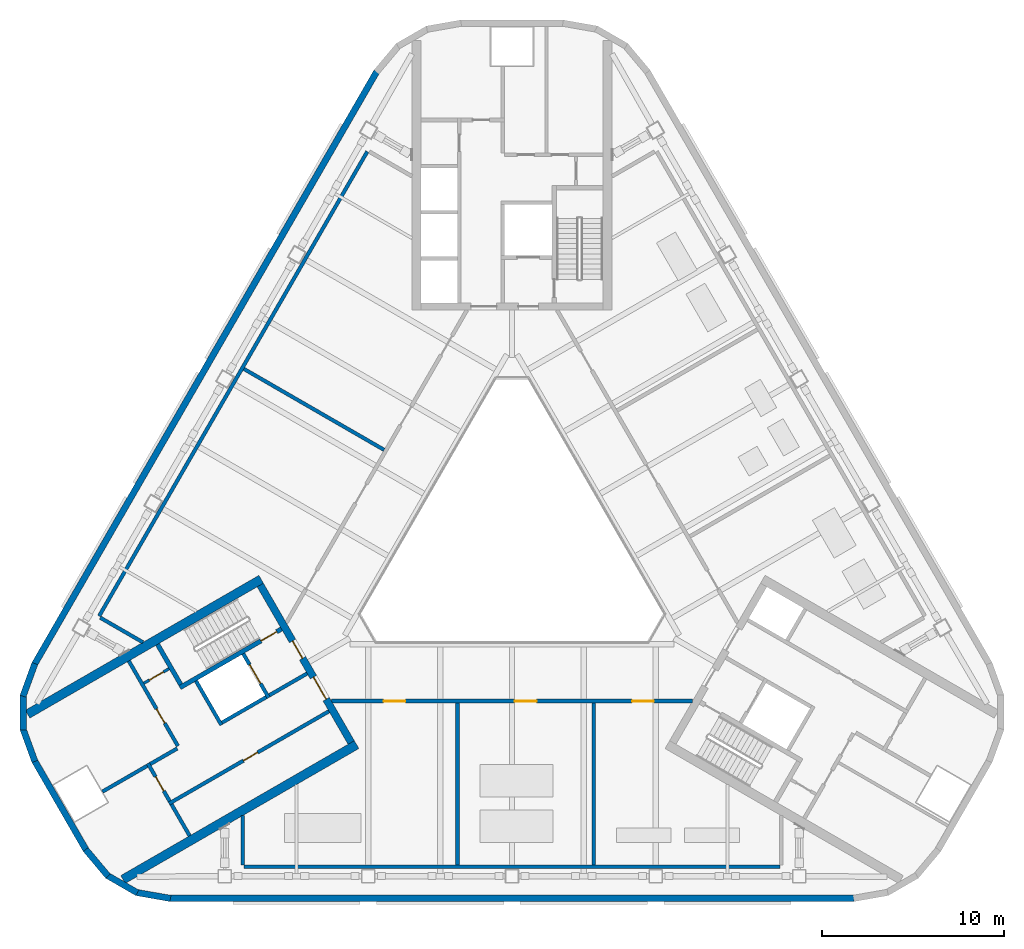
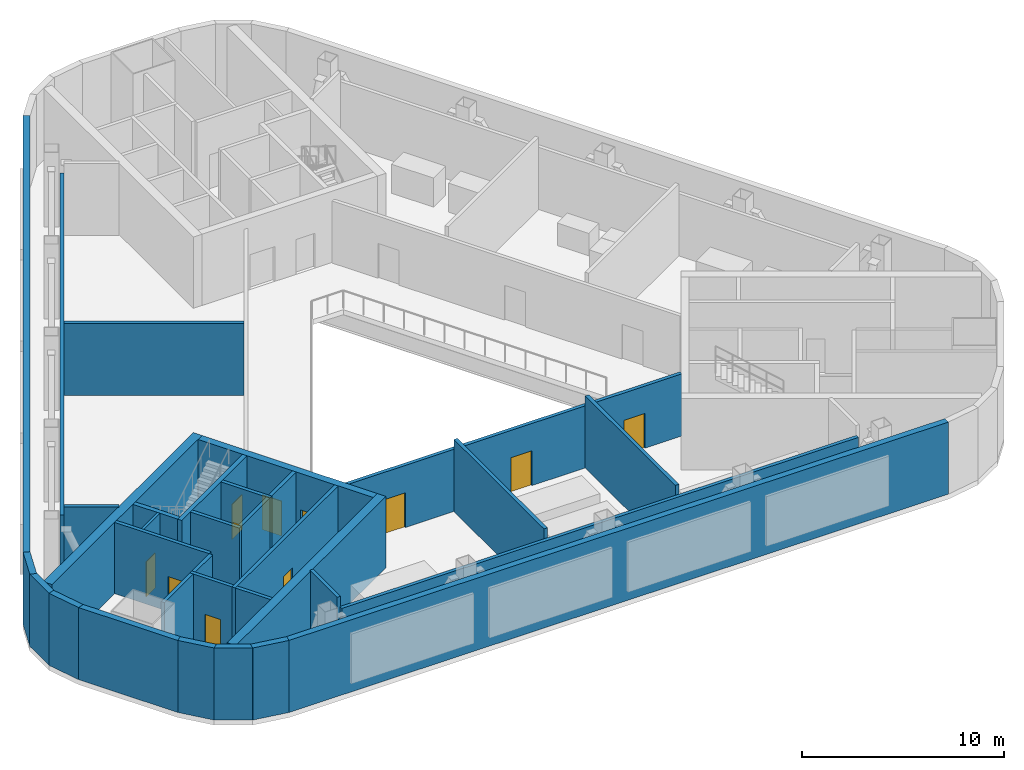
# One storey, part 6 of 14: 33 walls, 11 doors, 11 openings.
"""IFC4 building model written with IfcOpenShell, lengths in metres."""

from ifc_helpers import new_model, si_unit, direction, frame, frame_2d, origin, place, context, subcontext, project, spatial, rectangle, extrude, material, layer, layer_set, type_object, element, fill, save


model = new_model("IFC4")

# Units and contexts
model_context = context("Model", 3, precision=1e-05, world=origin(), true_north=direction((0.0, 1.0)))
body_context = subcontext(model_context, "Body", "Model", "MODEL_VIEW")
ifc_project = project(units=[si_unit("LENGTHUNIT", "METRE"), si_unit("AREAUNIT", "SQUARE_METRE"), si_unit("VOLUMEUNIT", "CUBIC_METRE"), si_unit("PLANEANGLEUNIT", "RADIAN"), si_unit("MASSUNIT", "GRAM", prefix="KILO")], contexts=[model_context])

# Site, building, storey
site_placement = place(None, origin())
site = spatial("IfcSite", under=ifc_project, at=site_placement, CompositionType="ELEMENT")
building_placement = place(site_placement, origin())
building = spatial("IfcBuilding", under=site, at=building_placement, Name="Apuvela Tower Hotel", CompositionType="ELEMENT")
storey_placement = place(building_placement, frame((0.0, 0.0, 242.199951171875)))
storey = spatial("IfcBuildingStorey", under=building, at=storey_placement, Name="L59 Plant", CompositionType="ELEMENT", Elevation=242.199951171875)

# Wall, openings, doors
ifc_material_1 = material(Name="Concrete C50/60", Category="concrete")
ifc_layer_1 = layer(ifc_material_1, 0.39990234375)
ifc_layer_set_1 = layer_set([ifc_layer_1], Name="COR-WALL-CORE-400")
wall_type_1 = type_object("IfcWallType", Name="COR-WALL-CORE-400", PredefinedType="SHEAR", material=ifc_layer_set_1)
wall_1_placement = place(storey_placement, frame((-13.844970703125, -2.219970703125, 0.0), z_axis=(0.0, 0.0, 1.0), x_axis=(0.500004234368, -0.866022959057, 0.0)))
wall_1 = element("IfcWall", 1, at=wall_1_placement, inside=storey, type_object=wall_type_1, Name="Core wall SW", PredefinedType="SHEAR", context=body_context, shape_type="SweptSolid", body=[
    extrude(rectangle(XDim=10.0, YDim=0.39990234375, at=frame_2d((5.0, 0.0))), origin(), (0.0, 0.0, 1.0), 4.300048828125),
])
opening_1_placement = place(wall_1_placement, frame((3.550048828125, 0.0, 0.0)))
opening_1 = element("IfcOpeningElement", 2, at=opening_1_placement, cuts=wall_1, Name="Opening W-FD", PredefinedType="OPENING", context=body_context, shape_type="SweptSolid", body=[
    extrude(rectangle(XDim=1.10009765625, YDim=2.10009765625, at=frame_2d((0.550048828125, 1.050048828125))), frame((0.0, 0.2099609375, 0.0), z_axis=(0.0, -1.0, 0.0), x_axis=(1.0, 0.0, 0.0)), (0.0, 0.0, 1.0), 0.419921875),
])
opening_2_placement = place(wall_1_placement, frame((5.85009765625, 0.0, 0.0)))
opening_2 = element("IfcOpeningElement", 3, at=opening_2_placement, cuts=wall_1, Name="Opening W-GD", PredefinedType="OPENING", context=body_context, shape_type="SweptSolid", body=[
    extrude(rectangle(XDim=1.39990234375, YDim=2.10009765625, at=frame_2d((0.699951171875, 1.050048828125))), frame((0.0, 0.2099609375, 0.0), z_axis=(0.0, -1.0, 0.0), x_axis=(1.0, 0.0, 0.0)), (0.0, 0.0, 1.0), 0.419921875),
])
ifc_material_2 = material(Name="Steel fire door, powder coated", Category="steel")
door_type_1 = type_object("IfcDoorType", Name="COR-FD-1100", OperationType="NOTDEFINED", PredefinedType="DOOR", material=ifc_material_2)
door_1_placement = place(opening_1_placement, frame((1.10009765625, 0.0, 0.0), z_axis=(0.0, 0.0, 1.0), x_axis=(-1.0, 0.0, 0.0)))
door_1 = element("IfcDoor", 4, at=door_1_placement, inside=storey, type_object=door_type_1, Name="Firefighting lobby door W-FD", OperationType="SINGLE_SWING_LEFT", OverallHeight=2.10009765625, OverallWidth=1.10009765625, PredefinedType="DOOR", context=body_context, shape_type="SweptSolid", body=[
    extrude(rectangle(XDim=1.10009765625, YDim=2.10009765625, at=frame_2d((0.550048828125, 1.050048828125))), frame((0.0, 0.02490234375, 0.0), z_axis=(0.0, -1.0, 0.0), x_axis=(1.0, 0.0, 0.0)), (0.0, 0.0, 1.0), 0.050048828125),
])
fill(opening_1, door_1)
ifc_material_3 = material(Name="Glazed steel fire door", Category="steel")
door_type_2 = type_object("IfcDoorType", Name="COR-GD-1400", OperationType="DOUBLE_DOOR_SINGLE_SWING", PredefinedType="DOOR", material=ifc_material_3)
door_2_placement = place(opening_2_placement, frame((1.39990234375, 0.0, 0.0), z_axis=(0.0, 0.0, 1.0), x_axis=(-1.0, 0.0, 0.0)))
door_2 = element("IfcDoor", 5, at=door_2_placement, inside=storey, type_object=door_type_2, Name="Lift lobby door W-GD", OperationType="DOUBLE_DOOR_SINGLE_SWING", OverallHeight=2.10009765625, OverallWidth=1.39990234375, PredefinedType="DOOR", context=body_context, shape_type="SweptSolid", body=[
    extrude(rectangle(XDim=1.39990234375, YDim=2.10009765625, at=frame_2d((0.699951171875, 1.050048828125))), frame((0.0, 0.02490234375, 0.0), z_axis=(0.0, -1.0, 0.0), x_axis=(1.0, 0.0, 0.0)), (0.0, 0.0, 1.0), 0.050048828125),
])
fill(opening_2, door_2)

# Walls
ifc_layer_2 = layer(ifc_material_1, 0.5)
ifc_layer_set_2 = layer_set([ifc_layer_2], Name="COR-WALL-CORE-500")
wall_type_2 = type_object("IfcWallType", Name="COR-WALL-CORE-500", PredefinedType="SHEAR", material=ifc_layer_set_2)
for number, where, z_axis, x_axis, name in (
    (6, (-13.796630859375, -1.9033203125, 0.0), (0.0, 0.0, 1.0), (-0.866025009528, -0.500000682871, 0.0), "Core wall SW"),
    (7, (-8.546630859375, -10.99658203125, 0.0), (0.0, 0.0, 1.0), (-0.866025009528, -0.500000682871, 0.0), "Core wall SW"),
):
    element("IfcWall", number, at=place(storey_placement, frame(where, z_axis=z_axis, x_axis=x_axis)), inside=storey, type_object=wall_type_2, Name=name, PredefinedType="SHEAR", context=body_context, shape_type="SweptSolid", body=[
        extrude(rectangle(XDim=14.8369140625, YDim=0.5, at=frame_2d((7.41845703125, 0.0))), origin(), (0.0, 0.0, 1.0), 4.300048828125),
    ])

# Wall, opening, door
ifc_material_4 = material(Name="Blockwork 150 mm plastered", Category="masonry")
ifc_layer_3 = layer(ifc_material_4, 0.14990234375)
ifc_layer_set_3 = layer_set([ifc_layer_3], Name="COR-WALL-PART-150")
wall_type_3 = type_object("IfcWallType", Name="COR-WALL-PART-150", PredefinedType="PARTITIONING", material=ifc_layer_set_3)
wall_2_placement = place(storey_placement, frame((-18.866455078125, -6.822265625, 0.0), z_axis=(0.0, 0.0, 1.0), x_axis=(-0.866028054938, -0.499995408039, 0.0)))
wall_2 = element("IfcWall", 8, at=wall_2_placement, inside=storey, type_object=wall_type_3, Name="Partition SW", PredefinedType="PARTITIONING", context=body_context, shape_type="SweptSolid", body=[
    extrude(rectangle(XDim=1.60009765625, YDim=0.14990234375, at=frame_2d((0.800048828125, 0.0))), origin(), (0.0, 0.0, 1.0), 4.300048828125),
])
opening_3_placement = place(wall_2_placement, frame((0.35009765625, 0.0, 0.0)))
opening_3 = element("IfcOpeningElement", 9, at=opening_3_placement, cuts=wall_2, Name="Opening W-RD", PredefinedType="OPENING", context=body_context, shape_type="SweptSolid", body=[
    extrude(rectangle(XDim=0.89990234375, YDim=2.10009765625, at=frame_2d((0.449951171875, 1.050048828125))), frame((0.0, 0.0849609375, 0.0), z_axis=(0.0, -1.0, 0.0), x_axis=(1.0, 0.0, 0.0)), (0.0, 0.0, 1.0), 0.169921875),
])
ifc_material_5 = material(Name="Steel access door, powder coated", Category="steel")
door_type_3 = type_object("IfcDoorType", Name="COR-RD-900", OperationType="NOTDEFINED", PredefinedType="DOOR", material=ifc_material_5)
door_3_placement = place(opening_3_placement, frame((0.89990234375, 0.0, 0.0), z_axis=(0.0, 0.0, 1.0), x_axis=(-1.0, 0.0, 0.0)))
door_3 = element("IfcDoor", 10, at=door_3_placement, inside=storey, type_object=door_type_3, Name="Riser door W-RD", OperationType="SINGLE_SWING_RIGHT", OverallHeight=2.10009765625, OverallWidth=0.89990234375, PredefinedType="DOOR", context=body_context, shape_type="SweptSolid", body=[
    extrude(rectangle(XDim=0.89990234375, YDim=2.10009765625, at=frame_2d((0.449951171875, 1.050048828125))), frame((0.0, 0.02490234375, 0.0), z_axis=(0.0, -1.0, 0.0), x_axis=(1.0, 0.0, 0.0)), (0.0, 0.0, 1.0), 0.050048828125),
])
fill(opening_3, door_3)

ifc_material_6 = material(Name="Blockwork 200 mm plastered", Category="masonry")
ifc_layer_4 = layer(ifc_material_6, 0.199951171875)
ifc_layer_set_4 = layer_set([ifc_layer_4], Name="COR-WALL-PART-200")
wall_type_4 = type_object("IfcWallType", Name="COR-WALL-PART-200", PredefinedType="PARTITIONING", material=ifc_layer_set_4)
wall_3_placement = place(storey_placement, frame((-21.076171875, -6.39501953125, 0.0), z_axis=(0.0, 0.0, 1.0), x_axis=(0.50001468107, -0.866016927499, 0.0)))
wall_3 = element("IfcWall", 11, at=wall_3_placement, inside=storey, type_object=wall_type_4, Name="Partition SW", PredefinedType="PARTITIONING", context=body_context, shape_type="SweptSolid", body=[
    extrude(rectangle(XDim=5.399658203125, YDim=0.199951171875, at=frame_2d((2.69970703125, 0.0))), origin(), (0.0, 0.0, 1.0), 4.300048828125),
])
opening_4_placement = place(wall_3_placement, frame((3.050048828125, 0.0, 0.0)))
opening_4 = element("IfcOpeningElement", 12, at=opening_4_placement, cuts=wall_3, Name="Opening W-RS1", PredefinedType="OPENING", context=body_context, shape_type="SweptSolid", body=[
    extrude(rectangle(XDim=0.89990234375, YDim=2.10009765625, at=frame_2d((0.449951171875, 1.050048828125))), frame((0.0, 0.10986328125, 0.0), z_axis=(0.0, -1.0, 0.0), x_axis=(1.0, 0.0, 0.0)), (0.0, 0.0, 1.0), 0.219970703125),
])
door_type_4 = type_object("IfcDoorType", Name="COR-DR-900", OperationType="NOTDEFINED", PredefinedType="DOOR", material=ifc_material_2)
door_4_placement = place(opening_4_placement, frame((0.89990234375, 0.0, 0.0), z_axis=(0.0, 0.0, 1.0), x_axis=(-1.0, 0.0, 0.0)))
door_4 = element("IfcDoor", 13, at=door_4_placement, inside=storey, type_object=door_type_4, Name="Store door W-RS1", OperationType="SINGLE_SWING_LEFT", OverallHeight=2.10009765625, OverallWidth=0.89990234375, PredefinedType="DOOR", context=body_context, shape_type="SweptSolid", body=[
    extrude(rectangle(XDim=0.89990234375, YDim=2.10009765625, at=frame_2d((0.449951171875, 1.050048828125))), frame((0.0, 0.02490234375, 0.0), z_axis=(0.0, -1.0, 0.0), x_axis=(1.0, 0.0, 0.0)), (0.0, 0.0, 1.0), 0.050048828125),
])
fill(opening_4, door_4)

# Wall
ifc_layer_5 = layer(ifc_material_1, 0.199951171875)
ifc_layer_set_5 = layer_set([ifc_layer_5], Name="COR-WALL-SHAFT-200")
wall_type_5 = type_object("IfcWallType", Name="COR-WALL-SHAFT-200", PredefinedType="SHEAR", material=ifc_layer_set_5)
wall_4_placement = place(storey_placement, frame((-17.38134765625, -7.49462890625, 0.0), z_axis=(0.0, 0.0, 1.0), x_axis=(0.500011755427, -0.866018616679, 0.0)))
element("IfcWall", 14, at=wall_4_placement, inside=storey, type_object=wall_type_5, Name="Shaft wall SW", PredefinedType="SHEAR", context=body_context, shape_type="SweptSolid", body=[
    extrude(rectangle(XDim=2.80029296875, YDim=0.199951171875, at=frame_2d((1.400146484375, 0.0))), origin(), (0.0, 0.0, 1.0), 4.300048828125),
])

# Wall, opening, door
wall_5_placement = place(storey_placement, frame((-14.783203125, -5.99462890625, 0.0), z_axis=(0.0, 0.0, 1.0), x_axis=(0.49994636267, -0.866056369097, 0.0)))
wall_5 = element("IfcWall", 15, at=wall_5_placement, inside=storey, type_object=wall_type_5, Name="Shaft wall SW", PredefinedType="SHEAR", context=body_context, shape_type="SweptSolid", body=[
    extrude(rectangle(XDim=2.800048828125, YDim=0.199951171875, at=frame_2d((1.39990234375, 0.0))), origin(), (0.0, 0.0, 1.0), 4.300048828125),
])
opening_5_placement = place(wall_5_placement, frame((0.699951171875, 0.0, 0.0)))
opening_5 = element("IfcOpeningElement", 16, at=opening_5_placement, cuts=wall_5, Name="Opening W-LD-FS2", PredefinedType="OPENING", context=body_context, shape_type="SweptSolid", body=[
    extrude(rectangle(XDim=1.199951171875, YDim=2.10009765625, at=frame_2d((0.60009765625, 1.050048828125))), frame((0.0, 0.10986328125, 0.0), z_axis=(0.0, -1.0, 0.0), x_axis=(1.0, 0.0, 0.0)), (0.0, 0.0, 1.0), 0.219970703125),
])
ifc_material_7 = material(Name="Stainless steel lift landing door", Category="steel")
door_type_5 = type_object("IfcDoorType", Name="COR-LD-1200", OperationType="DOUBLE_DOOR_SLIDING", PredefinedType="DOOR", material=ifc_material_7)
door_5_placement = place(opening_5_placement, origin())
door_5 = element("IfcDoor", 17, at=door_5_placement, inside=storey, type_object=door_type_5, Name="Lift landing door W-LD-FS2", OperationType="DOUBLE_DOOR_SLIDING", OverallHeight=2.10009765625, OverallWidth=1.199951171875, PredefinedType="DOOR", context=body_context, shape_type="SweptSolid", body=[
    extrude(rectangle(XDim=1.199951171875, YDim=2.10009765625, at=frame_2d((0.60009765625, 1.050048828125))), frame((0.0, 0.02490234375, 0.0), z_axis=(0.0, -1.0, 0.0), x_axis=(1.0, 0.0, 0.0)), (0.0, 0.0, 1.0), 0.050048828125),
])
fill(opening_5, door_5)

# Walls
wall_6_placement = place(storey_placement, frame((-13.519775390625, -8.383056640625, 0.0), z_axis=(0.0, 0.0, 1.0), x_axis=(-0.866034573852, -0.49998411664, 0.0)))
element("IfcWall", 18, at=wall_6_placement, inside=storey, type_object=wall_type_5, Name="Shaft wall SW", PredefinedType="SHEAR", context=body_context, shape_type="SweptSolid", body=[
    extrude(rectangle(XDim=2.7998046875, YDim=0.199951171875, at=frame_2d((1.39990234375, 0.0))), origin(), (0.0, 0.0, 1.0), 4.300048828125),
])
wall_7_placement = place(storey_placement, frame((-11.26806640625, -7.0830078125, 0.0), z_axis=(0.0, 0.0, 1.0), x_axis=(-0.866050077142, -0.499957262057, 0.0)))
element("IfcWall", 19, at=wall_7_placement, inside=storey, type_object=wall_type_5, Name="Shaft wall SW", PredefinedType="SHEAR", context=body_context, shape_type="SweptSolid", body=[
    extrude(rectangle(XDim=2.400146484375, YDim=0.199951171875, at=frame_2d((1.2001953125, 0.0))), origin(), (0.0, 0.0, 1.0), 4.300048828125),
])

# Wall, opening, door
wall_8_placement = place(storey_placement, frame((-10.068115234375, -9.16162109375, 0.0), z_axis=(0.0, 0.0, 1.0), x_axis=(-0.866032725843, -0.499987317609, 0.0)))
wall_8 = element("IfcWall", 20, at=wall_8_placement, inside=storey, type_object=wall_type_5, Name="Shaft wall SW", PredefinedType="SHEAR", context=body_context, shape_type="SweptSolid", body=[
    extrude(rectangle(XDim=10.159912109375, YDim=0.199951171875, at=frame_2d((5.080078125, 0.0))), origin(), (0.0, 0.0, 1.0), 4.300048828125),
])
opening_6_placement = place(wall_8_placement, frame((4.530029296875, 0.0, 0.0)))
opening_6 = element("IfcOpeningElement", 21, at=opening_6_placement, cuts=wall_8, Name="Opening W-RE1", PredefinedType="OPENING", context=body_context, shape_type="SweptSolid", body=[
    extrude(rectangle(XDim=0.89990234375, YDim=2.10009765625, at=frame_2d((0.449951171875, 1.050048828125))), frame((0.0, 0.10986328125, 0.0), z_axis=(0.0, -1.0, 0.0), x_axis=(1.0, 0.0, 0.0)), (0.0, 0.0, 1.0), 0.219970703125),
])
door_6_placement = place(opening_6_placement, origin())
door_6 = element("IfcDoor", 22, at=door_6_placement, inside=storey, type_object=door_type_4, Name="Store door W-RE1", OperationType="SINGLE_SWING_LEFT", OverallHeight=2.10009765625, OverallWidth=0.89990234375, PredefinedType="DOOR", context=body_context, shape_type="SweptSolid", body=[
    extrude(rectangle(XDim=0.89990234375, YDim=2.10009765625, at=frame_2d((0.449951171875, 1.050048828125))), frame((0.0, 0.02490234375, 0.0), z_axis=(0.0, -1.0, 0.0), x_axis=(1.0, 0.0, 0.0)), (0.0, 0.0, 1.0), 0.050048828125),
])
fill(opening_6, door_6)

wall_9_placement = place(storey_placement, frame((-20.030517578125, -12.0263671875, 0.0), z_axis=(0.0, 0.0, 1.0), x_axis=(0.500033551112, -0.866006032174, 0.0)))
wall_9 = element("IfcWall", 23, at=wall_9_placement, inside=storey, type_object=wall_type_5, Name="Shaft wall SW", PredefinedType="SHEAR", context=body_context, shape_type="SweptSolid", body=[
    extrude(rectangle(XDim=2.400146484375, YDim=0.199951171875, at=frame_2d((1.2001953125, 0.0))), origin(), (0.0, 0.0, 1.0), 4.300048828125),
])
opening_7_placement = place(wall_9_placement, frame((0.85009765625, 0.0, 0.0)))
opening_7 = element("IfcOpeningElement", 24, at=opening_7_placement, cuts=wall_9, Name="Opening W-REP", PredefinedType="OPENING", context=body_context, shape_type="SweptSolid", body=[
    extrude(rectangle(XDim=0.89990234375, YDim=2.10009765625, at=frame_2d((0.449951171875, 1.050048828125))), frame((0.0, 0.10986328125, 0.0), z_axis=(0.0, -1.0, 0.0), x_axis=(1.0, 0.0, 0.0)), (0.0, 0.0, 1.0), 0.219970703125),
])
door_7_placement = place(opening_7_placement, frame((0.89990234375, 0.0, 0.0), z_axis=(0.0, 0.0, 1.0), x_axis=(-1.0, 0.0, 0.0)))
door_7 = element("IfcDoor", 25, at=door_7_placement, inside=storey, type_object=door_type_4, Name="Store door W-REP", OperationType="SINGLE_SWING_LEFT", OverallHeight=2.10009765625, OverallWidth=0.89990234375, PredefinedType="DOOR", context=body_context, shape_type="SweptSolid", body=[
    extrude(rectangle(XDim=0.89990234375, YDim=2.10009765625, at=frame_2d((0.449951171875, 1.050048828125))), frame((0.0, 0.02490234375, 0.0), z_axis=(0.0, -1.0, 0.0), x_axis=(1.0, 0.0, 0.0)), (0.0, 0.0, 1.0), 0.050048828125),
])
fill(opening_7, door_7)

# Walls
wall_10_placement = place(storey_placement, frame((-18.412841796875, -11.2080078125, 0.0), z_axis=(0.0, 0.0, 1.0), x_axis=(-0.866038183914, -0.499977863513, 0.0)))
element("IfcWall", 26, at=wall_10_placement, inside=storey, type_object=wall_type_5, Name="Shaft wall SW", PredefinedType="SHEAR", context=body_context, shape_type="SweptSolid", body=[
    extrude(rectangle(XDim=1.7099609375, YDim=0.199951171875, at=frame_2d((0.85498046875, 0.0))), origin(), (0.0, 0.0, 1.0), 4.300048828125),
])
wall_11_placement = place(storey_placement, frame((-18.73046875, -14.278076171875, 0.0), z_axis=(0.0, 0.0, 1.0), x_axis=(0.50002537861, -0.866010750942, 0.0)))
element("IfcWall", 27, at=wall_11_placement, inside=storey, type_object=wall_type_5, Name="Shaft wall SW", PredefinedType="SHEAR", context=body_context, shape_type="SweptSolid", body=[
    extrude(rectangle(XDim=2.0, YDim=0.199951171875, at=frame_2d((1.0, 0.0))), origin(), (0.0, 0.0, 1.0), 4.300048828125),
])
wall_12_placement = place(storey_placement, frame((-20.06689453125, -12.1630859375, 0.0), z_axis=(0.0, 0.0, 1.0), x_axis=(-0.866055327414, -0.49994816717, 0.0)))
element("IfcWall", 28, at=wall_12_placement, inside=storey, type_object=wall_type_5, Name="Shaft wall SW", PredefinedType="SHEAR", context=body_context, shape_type="SweptSolid", body=[
    extrude(rectangle(XDim=2.840087890625, YDim=0.199951171875, at=frame_2d((1.419921875, 0.0))), origin(), (0.0, 0.0, 1.0), 4.300048828125),
])

# Wall, opening, door
ifc_layer_6 = layer(ifc_material_1, 0.25)
ifc_layer_set_6 = layer_set([ifc_layer_6], Name="COR-WALL-STAIR-250")
wall_type_6 = type_object("IfcWallType", Name="COR-WALL-STAIR-250", PredefinedType="SHEAR", material=ifc_layer_set_6)
wall_13_placement = place(storey_placement, frame((-12.6806640625, -4.636474609375, 0.0), z_axis=(0.0, 0.0, 1.0), x_axis=(-0.866021702275, -0.500006411147, 0.0)))
wall_13 = element("IfcWall", 29, at=wall_13_placement, inside=storey, type_object=wall_type_6, Name="Stair wall SW", PredefinedType="SHEAR", context=body_context, shape_type="SweptSolid", body=[
    extrude(rectangle(XDim=6.4501953125, YDim=0.25, at=frame_2d((3.22509765625, 0.0))), origin(), (0.0, 0.0, 1.0), 4.300048828125),
])
opening_8_placement = place(wall_13_placement, frame((0.300048828125, 0.0, 0.0)))
opening_8 = element("IfcOpeningElement", 30, at=opening_8_placement, cuts=wall_13, Name="Opening W-SD", PredefinedType="OPENING", context=body_context, shape_type="SweptSolid", body=[
    extrude(rectangle(XDim=1.0, YDim=2.10009765625, at=frame_2d((0.5, 1.050048828125))), frame((0.0, 0.135009765625, 0.0), z_axis=(0.0, -1.0, 0.0), x_axis=(1.0, 0.0, 0.0)), (0.0, 0.0, 1.0), 0.27001953125),
])
door_type_6 = type_object("IfcDoorType", Name="COR-SD-1000", OperationType="NOTDEFINED", PredefinedType="DOOR", material=ifc_material_2)
door_8_placement = place(opening_8_placement, frame((1.0, 0.0, 0.0), z_axis=(0.0, 0.0, 1.0), x_axis=(-1.0, 0.0, 0.0)))
door_8 = element("IfcDoor", 31, at=door_8_placement, inside=storey, type_object=door_type_6, Name="Stair door W-SD", OperationType="SINGLE_SWING_LEFT", OverallHeight=2.10009765625, OverallWidth=1.0, PredefinedType="DOOR", context=body_context, shape_type="SweptSolid", body=[
    extrude(rectangle(XDim=1.0, YDim=2.10009765625, at=frame_2d((0.5, 1.050048828125))), frame((0.0, 0.02490234375, 0.0), z_axis=(0.0, -1.0, 0.0), x_axis=(1.0, 0.0, 0.0)), (0.0, 0.0, 1.0), 0.050048828125),
])
fill(opening_8, door_8)

# Walls
wall_14_placement = place(storey_placement, frame((-19.49560546875, -5.482421875, 0.0), z_axis=(0.0, 0.0, 1.0), x_axis=(0.499990435942, -0.866030925526, 0.0)))
element("IfcWall", 32, at=wall_14_placement, inside=storey, type_object=wall_type_6, Name="Stair wall SW", PredefinedType="SHEAR", context=body_context, shape_type="SweptSolid", body=[
    extrude(rectangle(XDim=2.5498046875, YDim=0.25, at=frame_2d((1.27490234375, 0.0))), origin(), (0.0, 0.0, 1.0), 4.300048828125),
])
ifc_material_8 = material(Name="Concrete C40/50, dark pigmented precast panel", Category="concrete")
ifc_layer_7 = layer(ifc_material_8, 0.35009765625)
ifc_layer_set_7 = layer_set([ifc_layer_7], Name="ENV-WALL-350")
wall_type_7 = type_object("IfcWallType", Name="ENV-WALL-350", PredefinedType="SOLIDWALL", material=ifc_layer_set_7)
wall_15_placement = place(storey_placement, frame((-7.440673828125, 26.0224609375, 0.0), z_axis=(0.0, 0.0, 1.0), x_axis=(-0.499998380999, -0.866026338513, 0.0)))
element("IfcWall", 33, at=wall_15_placement, inside=storey, type_object=wall_type_7, Name="External wall L59 Plant-07", PredefinedType="SOLIDWALL", context=body_context, shape_type="SweptSolid", body=[
    extrude(rectangle(XDim=37.63134765625, YDim=0.35009765625, at=frame_2d((18.815673828125, 0.0))), origin(), (0.0, 0.0, 1.0), 4.35009765625),
])
for number, where, z_axis, x_axis, name in (
    (34, (-26.24365234375, -6.539794921875, 0.0), (0.0, 0.0, 1.0), (-0.342030395486, -0.939688889242, 0.0), "External wall L59 Plant-08"),
    (35, (-26.88623046875, -8.27490234375, 0.0), (0.0, 0.0, 1.0), (0.0, -1.0, 0.0), "External wall L59 Plant-09"),
    (36, (-26.89697265625, -10.125244140625, 0.0), (0.0, 0.0, 1.0), (0.342030395486, -0.939688889242, 0.0), "External wall L59 Plant-10"),
):
    element("IfcWall", number, at=place(storey_placement, frame(where, z_axis=z_axis, x_axis=x_axis)), inside=storey, type_object=wall_type_7, Name=name, PredefinedType="SOLIDWALL", context=body_context, shape_type="SweptSolid", body=[
        extrude(rectangle(XDim=1.91015625, YDim=0.35009765625, at=frame_2d((0.955078125, 0.0))), origin(), (0.0, 0.0, 1.0), 4.35009765625),
    ])
wall_16_placement = place(storey_placement, frame((-26.25634765625, -11.892578125, 0.0), z_axis=(0.0, 0.0, 1.0), x_axis=(0.499986410639, -0.866033249463, 0.0)))
element("IfcWall", 37, at=wall_16_placement, inside=storey, type_object=wall_type_7, Name="External wall L59 Plant-11", PredefinedType="SOLIDWALL", context=body_context, shape_type="SweptSolid", body=[
    extrude(rectangle(XDim=5.657958984375, YDim=0.35009765625, at=frame_2d((2.8291015625, 0.0))), origin(), (0.0, 0.0, 1.0), 4.35009765625),
])
for number, where, z_axis, x_axis, name in (
    (38, (-23.44482421875, -16.767578125, 0.0), (0.0, 0.0, 1.0), (0.642808304945, -0.766027077259, 0.0), "External wall L59 Plant-12"),
    (39, (-22.263671875, -18.191650390625, 0.0), (0.0, 0.0, 1.0), (0.866000389056, -0.500043324278, 0.0), "External wall L59 Plant-13"),
):
    element("IfcWall", number, at=place(storey_placement, frame(where, z_axis=z_axis, x_axis=x_axis)), inside=storey, type_object=wall_type_7, Name=name, PredefinedType="SOLIDWALL", context=body_context, shape_type="SweptSolid", body=[
        extrude(rectangle(XDim=1.909912109375, YDim=0.35009765625, at=frame_2d((0.955078125, 0.0))), origin(), (0.0, 0.0, 1.0), 4.35009765625),
    ])
wall_17_placement = place(storey_placement, frame((-20.66650390625, -19.1259765625, 0.0), z_axis=(0.0, 0.0, 1.0), x_axis=(0.984798995425, -0.173697837091, 0.0)))
element("IfcWall", 40, at=wall_17_placement, inside=storey, type_object=wall_type_7, Name="External wall L59 Plant-14", PredefinedType="SOLIDWALL", context=body_context, shape_type="SweptSolid", body=[
    extrude(rectangle(XDim=1.91015625, YDim=0.35009765625, at=frame_2d((0.955078125, 0.0))), origin(), (0.0, 0.0, 1.0), 4.35009765625),
])
wall_18_placement = place(storey_placement, frame((-18.81591796875, -19.455078125, 0.0), z_axis=(0.0, 0.0, 1.0), x_axis=(1.0, 0.0, 0.0)))
element("IfcWall", 41, at=wall_18_placement, inside=storey, type_object=wall_type_7, Name="External wall L59 Plant-15", PredefinedType="SOLIDWALL", context=body_context, shape_type="SweptSolid", body=[
    extrude(rectangle(XDim=37.6318359375, YDim=0.35009765625, at=frame_2d((18.81591796875, 0.0))), origin(), (0.0, 0.0, 1.0), 4.35009765625),
])
ifc_material_9 = material(Name="Reinforced blockwork B15", Category="masonry")
ifc_layer_8 = layer(ifc_material_9, 0.199951171875)
ifc_layer_set_8 = layer_set([ifc_layer_8], Name="SPC-WALL-PLANT")
wall_type_8 = type_object("IfcWallType", Name="SPC-WALL-PLANT", PredefinedType="PARTITIONING", material=ifc_layer_set_8)
wall_19_placement = place(storey_placement, frame((-14.800048828125, -17.60498046875, 0.0), z_axis=(0.0, 0.0, 1.0), x_axis=(0.0, 1.0, 0.0)))
element("IfcWall", 42, at=wall_19_placement, inside=storey, type_object=wall_type_8, Name="Wall L59-S-P03", PredefinedType="PARTITIONING", context=body_context, shape_type="SweptSolid", body=[
    extrude(rectangle(XDim=2.70947265625, YDim=0.199951171875, at=frame_2d((1.354736328125, 0.0))), origin(), (0.0, 0.0, 1.0), 4.35009765625),
])
for number, where, z_axis, x_axis, name in (
    (43, (-3.0, -17.60498046875, 0.0), (0.0, 0.0, 1.0), (0.0, 1.0, 0.0), "Wall L59-S-P04"),
    (44, (4.5, -17.60498046875, 0.0), (0.0, 0.0, 1.0), (0.0, 1.0, 0.0), "Wall L59-S-P05"),
):
    element("IfcWall", number, at=place(storey_placement, frame(where, z_axis=z_axis, x_axis=x_axis)), inside=storey, type_object=wall_type_8, Name=name, PredefinedType="PARTITIONING", context=body_context, shape_type="SweptSolid", body=[
        extrude(rectangle(XDim=8.905029296875, YDim=0.199951171875, at=frame_2d((4.45263671875, 0.0))), origin(), (0.0, 0.0, 1.0), 4.35009765625),
    ])
wall_20_placement = place(storey_placement, frame((-14.75, -17.705078125, 0.0), z_axis=(0.0, 0.0, 1.0), x_axis=(1.0, 0.0, 0.0)))
element("IfcWall", 45, at=wall_20_placement, inside=storey, type_object=wall_type_8, Name="Wall L59-S-FUR2", PredefinedType="PARTITIONING", context=body_context, shape_type="SweptSolid", body=[
    extrude(rectangle(XDim=29.5, YDim=0.199951171875, at=frame_2d((14.75, 0.0))), origin(), (0.0, 0.0, 1.0), 3.75),
])

# Wall, openings, doors
wall_21_placement = place(storey_placement, frame((-9.930419921875, -8.60009765625, 0.0), z_axis=(0.0, 0.0, 1.0), x_axis=(1.0, 0.0, 0.0)))
wall_21 = element("IfcWall", 46, at=wall_21_placement, inside=storey, type_object=wall_type_8, Name="Wall L59-S-CW", PredefinedType="PARTITIONING", context=body_context, shape_type="SweptSolid", body=[
    extrude(rectangle(XDim=19.86083984375, YDim=0.199951171875, at=frame_2d((9.930419921875, 0.0))), origin(), (0.0, 0.0, 1.0), 3.75),
])
opening_9_placement = place(wall_21_placement, frame((2.87109375, 0.0, 0.0)))
opening_9 = element("IfcOpeningElement", 47, at=opening_9_placement, cuts=wall_21, Name="Opening L59-S04", PredefinedType="OPENING", context=body_context, shape_type="SweptSolid", body=[
    extrude(rectangle(XDim=1.199951171875, YDim=2.10009765625, at=frame_2d((0.60009765625, 1.050048828125))), frame((0.0, 0.10986328125, 0.0), z_axis=(0.0, -1.0, 0.0), x_axis=(1.0, 0.0, 0.0)), (0.0, 0.0, 1.0), 0.219970703125),
])
opening_10_placement = place(wall_21_placement, frame((10.08056640625, 0.0, 0.0)))
opening_10 = element("IfcOpeningElement", 48, at=opening_10_placement, cuts=wall_21, Name="Opening L59-S05", PredefinedType="OPENING", context=body_context, shape_type="SweptSolid", body=[
    extrude(rectangle(XDim=1.199951171875, YDim=2.10009765625, at=frame_2d((0.60009765625, 1.050048828125))), frame((0.0, 0.10986328125, 0.0), z_axis=(0.0, -1.0, 0.0), x_axis=(1.0, 0.0, 0.0)), (0.0, 0.0, 1.0), 0.219970703125),
])
opening_11_placement = place(wall_21_placement, frame((16.5400390625, 0.0, 0.0)))
opening_11 = element("IfcOpeningElement", 49, at=opening_11_placement, cuts=wall_21, Name="Opening L59-S06", PredefinedType="OPENING", context=body_context, shape_type="SweptSolid", body=[
    extrude(rectangle(XDim=1.199951171875, YDim=2.10009765625, at=frame_2d((0.60009765625, 1.050048828125))), frame((0.0, 0.10986328125, 0.0), z_axis=(0.0, -1.0, 0.0), x_axis=(1.0, 0.0, 0.0)), (0.0, 0.0, 1.0), 0.219970703125),
])
ifc_material_10 = material(Name="Steel fire door leaf", Category="steel")
door_type_7 = type_object("IfcDoorType", Name="SPC-DOOR-1200-PLANT", OperationType="NOTDEFINED", PredefinedType="DOOR", material=ifc_material_10)
door_9_placement = place(opening_9_placement, frame((1.199951171875, 0.0, 0.0), z_axis=(0.0, 0.0, 1.0), x_axis=(-1.0, 0.0, 0.0)))
door_9 = element("IfcDoor", 50, at=door_9_placement, inside=storey, type_object=door_type_7, Name="L59-S04", OperationType="SINGLE_SWING_LEFT", OverallHeight=2.10009765625, OverallWidth=1.199951171875, PredefinedType="DOOR", context=body_context, shape_type="SweptSolid", body=[
    extrude(rectangle(XDim=1.199951171875, YDim=2.10009765625, at=frame_2d((0.60009765625, 1.050048828125))), frame((0.0, 0.02490234375, 0.0), z_axis=(0.0, -1.0, 0.0), x_axis=(1.0, 0.0, 0.0)), (0.0, 0.0, 1.0), 0.050048828125),
])
fill(opening_9, door_9)
door_10_placement = place(opening_10_placement, frame((1.199951171875, 0.0, 0.0), z_axis=(0.0, 0.0, 1.0), x_axis=(-1.0, 0.0, 0.0)))
door_10 = element("IfcDoor", 51, at=door_10_placement, inside=storey, type_object=door_type_7, Name="L59-S05", OperationType="SINGLE_SWING_RIGHT", OverallHeight=2.10009765625, OverallWidth=1.199951171875, PredefinedType="DOOR", context=body_context, shape_type="SweptSolid", body=[
    extrude(rectangle(XDim=1.199951171875, YDim=2.10009765625, at=frame_2d((0.60009765625, 1.050048828125))), frame((0.0, 0.02490234375, 0.0), z_axis=(0.0, -1.0, 0.0), x_axis=(1.0, 0.0, 0.0)), (0.0, 0.0, 1.0), 0.050048828125),
])
fill(opening_10, door_10)
door_11_placement = place(opening_11_placement, frame((1.199951171875, 0.0, 0.0), z_axis=(0.0, 0.0, 1.0), x_axis=(-1.0, 0.0, 0.0)))
door_11 = element("IfcDoor", 52, at=door_11_placement, inside=storey, type_object=door_type_7, Name="L59-S06", OperationType="SINGLE_SWING_LEFT", OverallHeight=2.10009765625, OverallWidth=1.199951171875, PredefinedType="DOOR", context=body_context, shape_type="SweptSolid", body=[
    extrude(rectangle(XDim=1.199951171875, YDim=2.10009765625, at=frame_2d((0.60009765625, 1.050048828125))), frame((0.0, 0.02490234375, 0.0), z_axis=(0.0, -1.0, 0.0), x_axis=(1.0, 0.0, 0.0)), (0.0, 0.0, 1.0), 0.050048828125),
])
fill(opening_11, door_11)

# Walls
wall_22_placement = place(storey_placement, frame((-14.746337890625, 9.66845703125, 0.0), z_axis=(0.0, 0.0, 1.0), x_axis=(0.866029443717, -0.499993002566, 0.0)))
element("IfcWall", 53, at=wall_22_placement, inside=storey, type_object=wall_type_8, Name="Wall L59-NW-P04", PredefinedType="PARTITIONING", context=body_context, shape_type="SweptSolid", body=[
    extrude(rectangle(XDim=8.905029296875, YDim=0.199951171875, at=frame_2d((4.45263671875, 0.0))), origin(), (0.0, 0.0, 1.0), 4.35009765625),
])
wall_23_placement = place(storey_placement, frame((-22.646484375, -4.0146484375, 0.0), z_axis=(0.0, 0.0, 1.0), x_axis=(0.866044551023, -0.499966834543, 0.0)))
element("IfcWall", 54, at=wall_23_placement, inside=storey, type_object=wall_type_8, Name="Wall L59-NW-P05", PredefinedType="PARTITIONING", context=body_context, shape_type="SweptSolid", body=[
    extrude(rectangle(XDim=2.709716796875, YDim=0.199951171875, at=frame_2d((1.35498046875, 0.0))), origin(), (0.0, 0.0, 1.0), 4.35009765625),
])
wall_24_placement = place(storey_placement, frame((-7.9580078125, 21.62646484375, 0.0), z_axis=(0.0, 0.0, 1.0), x_axis=(-0.499998500593, -0.866026269466, 0.0)))
element("IfcWall", 55, at=wall_24_placement, inside=storey, type_object=wall_type_8, Name="Wall L59-NW-FUR1", PredefinedType="PARTITIONING", context=body_context, shape_type="SweptSolid", body=[
    extrude(rectangle(XDim=29.5, YDim=0.199951171875, at=frame_2d((14.75, 0.0))), origin(), (0.0, 0.0, 1.0), 3.75),
])

save(model, "model.ifc")
